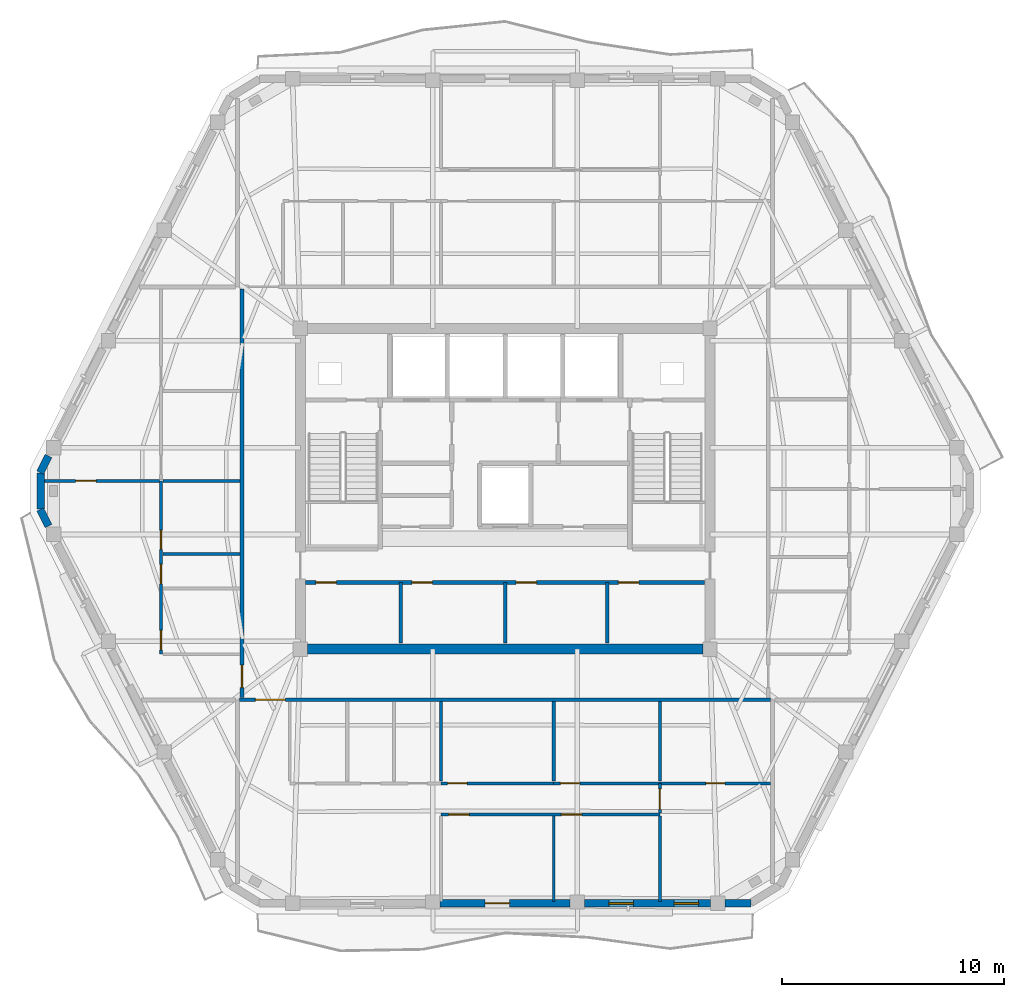
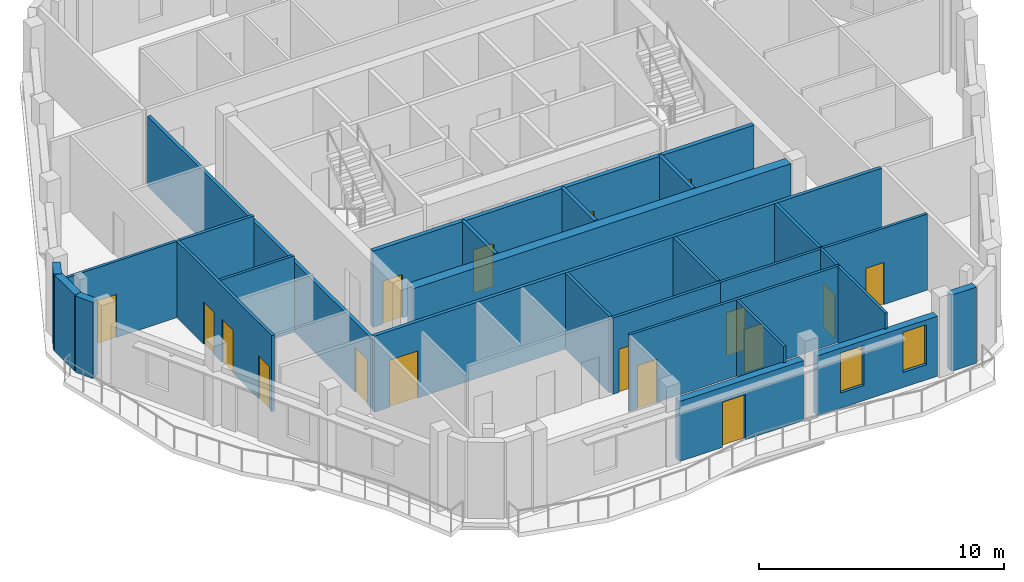
# One storey, part 4 of 11: 26 walls, 17 doors, 2 windows, 19 openings.
"""IFC4 building model written with IfcOpenShell, lengths in metres."""

from ifc_helpers import new_model, si_unit, direction, frame, frame_2d, origin, place, context, subcontext, project, spatial, rectangle, extrude, material, layer, layer_set, type_object, element, fill, save


model = new_model("IFC4")

# Units and contexts
model_context = context("Model", 3, precision=1e-05, world=origin(), true_north=direction((0.0, 1.0)))
body_context = subcontext(model_context, "Body", "Model", "MODEL_VIEW")
ifc_project = project(units=[si_unit("LENGTHUNIT", "METRE"), si_unit("AREAUNIT", "SQUARE_METRE"), si_unit("VOLUMEUNIT", "CUBIC_METRE"), si_unit("PLANEANGLEUNIT", "RADIAN"), si_unit("MASSUNIT", "GRAM", prefix="KILO")], contexts=[model_context])

# Site, building, storey
site_placement = place(None, origin())
site = spatial("IfcSite", under=ifc_project, at=site_placement, CompositionType="ELEMENT")
building_placement = place(site_placement, origin())
building = spatial("IfcBuilding", under=site, at=building_placement, Name="Cinnabar Lancet Tower", CompositionType="ELEMENT")
storey_placement = place(building_placement, frame((0.0, 0.0, 291.5)))
storey = spatial("IfcBuildingStorey", under=building, at=storey_placement, Name="L77", CompositionType="ELEMENT", Elevation=291.5)

# Walls
ifc_material_1 = material(Name="Acoustic twin-stud gypsum partition", Category="gypsum")
ifc_layer_1 = layer(ifc_material_1, 0.159912109375)
ifc_layer_set_1 = layer_set([ifc_layer_1], Name="Acoustic twin-stud gypsum partition")
wall_type_1 = type_object("IfcWallType", Name="ARC-WL-CORR-160", PredefinedType="PARTITIONING", material=ifc_layer_set_1)
for number, where, z_axis, x_axis, name in (
    (1, (27.699951171875, 18.949951171875, 0.0), (0.0, 0.0, 1.0), (0.0, 1.0, 0.0), "CW-SB-2770-L77"),
    (2, (32.39990234375, 18.949951171875, 0.0), (0.0, 0.0, 1.0), (0.0, 1.0, 0.0), "CW-SB-3240-L77"),
    (3, (37.0, 18.949951171875, 0.0), (0.0, 0.0, 1.0), (0.0, 1.0, 0.0), "CW-SB-3700-L77"),
):
    element("IfcWall", number, at=place(storey_placement, frame(where, z_axis=z_axis, x_axis=x_axis)), inside=storey, type_object=wall_type_1, Name=name, PredefinedType="PARTITIONING", context=body_context, shape_type="SweptSolid", body=[
        extrude(rectangle(XDim=2.72998046875, YDim=0.159912109375, at=frame_2d((1.364990234375, 0.0))), origin(), (0.0, 0.0, 1.0), 3.800048828125),
    ])

# Wall, opening, door
wall_1_placement = place(storey_placement, frame((20.445068359375, 16.39990234375, 0.0), z_axis=(0.0, 0.0, 1.0), x_axis=(1.0, 0.0, 0.0)))
wall_1 = element("IfcWall", 4, at=wall_1_placement, inside=storey, type_object=wall_type_1, Name="L77 Unit S01 Corridor Wall", PredefinedType="PARTITIONING", context=body_context, shape_type="SweptSolid", body=[
    extrude(rectangle(XDim=23.909912109375, YDim=0.159912109375, at=frame_2d((11.955078125, 0.0))), origin(), (0.0, 0.0, 1.0), 3.800048828125),
])
opening_1_placement = place(wall_1_placement, frame((0.705078125, 0.0, 0.0)))
opening_1 = element("IfcOpeningElement", 5, at=opening_1_placement, cuts=wall_1, Name="Opening UD-02", PredefinedType="OPENING", context=body_context, shape_type="SweptSolid", body=[
    extrude(rectangle(XDim=1.35009765625, YDim=2.35009765625, at=frame_2d((0.675048828125, 1.175048828125))), frame((0.0, 0.08984375, 0.0), z_axis=(0.0, -1.0, 0.0), x_axis=(1.0, 0.0, 0.0)), (0.0, 0.0, 1.0), 0.179931640625),
])
ifc_material_2 = material(Name="Double-leaf solid timber penthouse entrance door", Category="wood")
door_type_1 = type_object("IfcDoorType", Name="ARC-DR-UNIT-PH", OperationType="NOTDEFINED", PredefinedType="DOOR", material=ifc_material_2)
door_1_placement = place(opening_1_placement, origin())
door_1 = element("IfcDoor", 6, at=door_1_placement, inside=storey, type_object=door_type_1, Name="DR-L77-S01-ENT", OperationType="SINGLE_SWING_LEFT", OverallHeight=2.35009765625, OverallWidth=1.35009765625, PredefinedType="DOOR", context=body_context, shape_type="SweptSolid", body=[
    extrude(rectangle(XDim=1.35009765625, YDim=2.35009765625, at=frame_2d((0.675048828125, 1.175048828125))), frame((0.0, 0.02490234375, 0.0), z_axis=(0.0, -1.0, 0.0), x_axis=(1.0, 0.0, 0.0)), (0.0, 0.0, 1.0), 0.050048828125),
])
fill(opening_1, door_1)

wall_2_placement = place(storey_placement, frame((20.550048828125, 16.4951171875, 0.0), z_axis=(0.0, 0.0, 1.0), x_axis=(0.0, 1.0, 0.0)))
wall_2 = element("IfcWall", 7, at=wall_2_placement, inside=storey, type_object=wall_type_1, Name="UW-L77-W01-COR", PredefinedType="PARTITIONING", context=body_context, shape_type="SweptSolid", body=[
    extrude(rectangle(XDim=18.409912109375, YDim=0.159912109375, at=frame_2d((9.205078125, 0.0))), origin(), (0.0, 0.0, 1.0), 3.487060546875),
])
opening_2_placement = place(wall_2_placement, frame((0.449951171875, 0.0, 0.0)))
opening_2 = element("IfcOpeningElement", 8, at=opening_2_placement, cuts=wall_2, Name="Opening UD-01", PredefinedType="OPENING", context=body_context, shape_type="SweptSolid", body=[
    extrude(rectangle(XDim=1.02001953125, YDim=2.25, at=frame_2d((0.510009765625, 1.125))), frame((0.0, 0.08984375, 0.0), z_axis=(0.0, -1.0, 0.0), x_axis=(1.0, 0.0, 0.0)), (0.0, 0.0, 1.0), 0.179931640625),
])
ifc_material_3 = material(Name="Solid timber fire-rated apartment entrance door", Category="wood")
door_type_2 = type_object("IfcDoorType", Name="ARC-DR-UNIT", OperationType="NOTDEFINED", PredefinedType="DOOR", material=ifc_material_3)
door_2_placement = place(opening_2_placement, origin())
door_2 = element("IfcDoor", 9, at=door_2_placement, inside=storey, type_object=door_type_2, Name="DR-L77-W01-ENT", OperationType="SINGLE_SWING_LEFT", OverallHeight=2.25, OverallWidth=1.02001953125, PredefinedType="DOOR", context=body_context, shape_type="SweptSolid", body=[
    extrude(rectangle(XDim=1.02001953125, YDim=2.25, at=frame_2d((0.510009765625, 1.125))), frame((0.0, 0.02490234375, 0.0), z_axis=(0.0, -1.0, 0.0), x_axis=(1.0, 0.0, 0.0)), (0.0, 0.0, 1.0), 0.050048828125),
])
fill(opening_2, door_2)

# Wall, openings, doors
ifc_material_4 = material(Name="Autoclaved aerated concrete blockwork", Category="masonry")
ifc_layer_2 = layer(ifc_material_4, 0.199951171875)
ifc_layer_set_2 = layer_set([ifc_layer_2], Name="Autoclaved aerated concrete blockwork")
wall_type_2 = type_object("IfcWallType", Name="ARC-WL-SHAFT-200", PredefinedType="PLUMBINGWALL", material=ifc_layer_set_2)
wall_3_placement = place(storey_placement, frame((23.419921875, 21.679931640625, 0.0), z_axis=(0.0, 0.0, 1.0), x_axis=(1.0, 0.0, 0.0)))
wall_3 = element("IfcWall", 10, at=wall_3_placement, inside=storey, type_object=wall_type_2, Name="CW-SBANDN-L77", PredefinedType="PLUMBINGWALL", context=body_context, shape_type="SweptSolid", body=[
    extrude(rectangle(XDim=17.9599609375, YDim=0.199951171875, at=frame_2d((8.97998046875, 0.0))), origin(), (0.0, 0.0, 1.0), 3.800048828125),
])
opening_3_placement = place(wall_3_placement, frame((0.4599609375, 0.0, 0.0)))
opening_3 = element("IfcOpeningElement", 11, at=opening_3_placement, cuts=wall_3, Name="Opening RD-01", PredefinedType="OPENING", context=body_context, shape_type="SweptSolid", body=[
    extrude(rectangle(XDim=0.919921875, YDim=2.14990234375, at=frame_2d((0.4599609375, 1.074951171875))), frame((0.0, 0.10986328125, 0.0), z_axis=(0.0, -1.0, 0.0), x_axis=(1.0, 0.0, 0.0)), (0.0, 0.0, 1.0), 0.219970703125),
])
opening_4_placement = place(wall_3_placement, frame((4.780029296875, 0.0, 0.0)))
opening_4 = element("IfcOpeningElement", 12, at=opening_4_placement, cuts=wall_3, Name="Opening RD-01", PredefinedType="OPENING", context=body_context, shape_type="SweptSolid", body=[
    extrude(rectangle(XDim=0.919921875, YDim=2.14990234375, at=frame_2d((0.4599609375, 1.074951171875))), frame((0.0, 0.10986328125, 0.0), z_axis=(0.0, -1.0, 0.0), x_axis=(1.0, 0.0, 0.0)), (0.0, 0.0, 1.0), 0.219970703125),
])
opening_5_placement = place(wall_3_placement, frame((9.47998046875, 0.0, 0.0)))
opening_5 = element("IfcOpeningElement", 13, at=opening_5_placement, cuts=wall_3, Name="Opening RD-01", PredefinedType="OPENING", context=body_context, shape_type="SweptSolid", body=[
    extrude(rectangle(XDim=0.919921875, YDim=2.14990234375, at=frame_2d((0.4599609375, 1.074951171875))), frame((0.0, 0.10986328125, 0.0), z_axis=(0.0, -1.0, 0.0), x_axis=(1.0, 0.0, 0.0)), (0.0, 0.0, 1.0), 0.219970703125),
])
opening_6_placement = place(wall_3_placement, frame((14.080078125, 0.0, 0.0)))
opening_6 = element("IfcOpeningElement", 14, at=opening_6_placement, cuts=wall_3, Name="Opening RD-01", PredefinedType="OPENING", context=body_context, shape_type="SweptSolid", body=[
    extrude(rectangle(XDim=0.919921875, YDim=2.14990234375, at=frame_2d((0.4599609375, 1.074951171875))), frame((0.0, 0.10986328125, 0.0), z_axis=(0.0, -1.0, 0.0), x_axis=(1.0, 0.0, 0.0)), (0.0, 0.0, 1.0), 0.219970703125),
])
ifc_material_5 = material(Name="Engineered timber bedroom door", Category="wood")
door_type_3 = type_object("IfcDoorType", Name="ARC-DR-ROOM", OperationType="NOTDEFINED", PredefinedType="DOOR", material=ifc_material_5)
door_3_placement = place(opening_3_placement, origin())
door_3 = element("IfcDoor", 15, at=door_3_placement, inside=storey, type_object=door_type_3, Name="DR-L77-HREC1", OperationType="SINGLE_SWING_LEFT", OverallHeight=2.14990234375, OverallWidth=0.919921875, PredefinedType="DOOR", context=body_context, shape_type="SweptSolid", body=[
    extrude(rectangle(XDim=0.919921875, YDim=2.14990234375, at=frame_2d((0.4599609375, 1.074951171875))), frame((0.0, 0.02490234375, 0.0), z_axis=(0.0, -1.0, 0.0), x_axis=(1.0, 0.0, 0.0)), (0.0, 0.0, 1.0), 0.050048828125),
])
fill(opening_3, door_3)
door_4_placement = place(opening_4_placement, origin())
door_4 = element("IfcDoor", 16, at=door_4_placement, inside=storey, type_object=door_type_3, Name="DR-L77-HREC2", OperationType="SINGLE_SWING_RIGHT", OverallHeight=2.14990234375, OverallWidth=0.919921875, PredefinedType="DOOR", context=body_context, shape_type="SweptSolid", body=[
    extrude(rectangle(XDim=0.919921875, YDim=2.14990234375, at=frame_2d((0.4599609375, 1.074951171875))), frame((0.0, 0.02490234375, 0.0), z_axis=(0.0, -1.0, 0.0), x_axis=(1.0, 0.0, 0.0)), (0.0, 0.0, 1.0), 0.050048828125),
])
fill(opening_4, door_4)
door_5_placement = place(opening_5_placement, origin())
door_5 = element("IfcDoor", 17, at=door_5_placement, inside=storey, type_object=door_type_3, Name="DR-L77-HREC3", OperationType="SINGLE_SWING_LEFT", OverallHeight=2.14990234375, OverallWidth=0.919921875, PredefinedType="DOOR", context=body_context, shape_type="SweptSolid", body=[
    extrude(rectangle(XDim=0.919921875, YDim=2.14990234375, at=frame_2d((0.4599609375, 1.074951171875))), frame((0.0, 0.02490234375, 0.0), z_axis=(0.0, -1.0, 0.0), x_axis=(1.0, 0.0, 0.0)), (0.0, 0.0, 1.0), 0.050048828125),
])
fill(opening_5, door_5)
door_6_placement = place(opening_6_placement, origin())
door_6 = element("IfcDoor", 18, at=door_6_placement, inside=storey, type_object=door_type_3, Name="DR-L77-HREC4", OperationType="SINGLE_SWING_RIGHT", OverallHeight=2.14990234375, OverallWidth=0.919921875, PredefinedType="DOOR", context=body_context, shape_type="SweptSolid", body=[
    extrude(rectangle(XDim=0.919921875, YDim=2.14990234375, at=frame_2d((0.4599609375, 1.074951171875))), frame((0.0, 0.02490234375, 0.0), z_axis=(0.0, -1.0, 0.0), x_axis=(1.0, 0.0, 0.0)), (0.0, 0.0, 1.0), 0.050048828125),
])
fill(opening_6, door_6)

ifc_material_6 = material(Name="Gypsum plasterboard stud partition", Category="gypsum")
ifc_layer_3 = layer(ifc_material_6, 0.125)
ifc_layer_set_3 = layer_set([ifc_layer_3], Name="Gypsum plasterboard stud partition")
wall_type_3 = type_object("IfcWallType", Name="ARC-WL-UNIT-125", PredefinedType="PARTITIONING", material=ifc_layer_set_3)
wall_4_placement = place(storey_placement, frame((34.587890625, 12.632080078125, 0.0), z_axis=(0.0, 0.0, 1.0), x_axis=(1.0, 0.0, 0.0)))
wall_4 = element("IfcWall", 19, at=wall_4_placement, inside=storey, type_object=wall_type_3, Name="UW-L77-S01-SP2", PredefinedType="PARTITIONING", context=body_context, shape_type="SweptSolid", body=[
    extrude(rectangle(XDim=9.76708984375, YDim=0.125, at=frame_2d((4.883544921875, 0.0))), origin(), (0.0, 0.0, 1.0), 3.800048828125),
])
opening_7_placement = place(wall_4_placement, frame((6.84912109375, 0.0, 0.0)))
opening_7 = element("IfcOpeningElement", 20, at=opening_7_placement, cuts=wall_4, Name="Opening BD-01", PredefinedType="OPENING", context=body_context, shape_type="SweptSolid", body=[
    extrude(rectangle(XDim=0.860107421875, YDim=2.10009765625, at=frame_2d((0.43017578125, 1.050048828125))), frame((0.0, 0.072509765625, 0.0), z_axis=(0.0, -1.0, 0.0), x_axis=(1.0, 0.0, 0.0)), (0.0, 0.0, 1.0), 0.14501953125),
])
opening_8_placement = place(wall_4_placement, frame((0.300048828125, 0.0, 0.0)))
opening_8 = element("IfcOpeningElement", 21, at=opening_8_placement, cuts=wall_4, Name="Opening RD-02", PredefinedType="OPENING", context=body_context, shape_type="SweptSolid", body=[
    extrude(rectangle(XDim=0.8798828125, YDim=2.14990234375, at=frame_2d((0.43994140625, 1.074951171875))), frame((0.0, 0.072509765625, 0.0), z_axis=(0.0, -1.0, 0.0), x_axis=(1.0, 0.0, 0.0)), (0.0, 0.0, 1.0), 0.14501953125),
])
ifc_material_7 = material(Name="Moisture-resistant timber bathroom door", Category="wood")
door_type_4 = type_object("IfcDoorType", Name="ARC-DR-BATH", OperationType="NOTDEFINED", PredefinedType="DOOR", material=ifc_material_7)
door_7_placement = place(opening_7_placement, origin())
door_7 = element("IfcDoor", 22, at=door_7_placement, inside=storey, type_object=door_type_4, Name="DR-L77-S01-ENS", OperationType="SINGLE_SWING_RIGHT", OverallHeight=2.10009765625, OverallWidth=0.860107421875, PredefinedType="DOOR", context=body_context, shape_type="SweptSolid", body=[
    extrude(rectangle(XDim=0.860107421875, YDim=2.10009765625, at=frame_2d((0.43017578125, 1.050048828125))), frame((0.0, 0.02490234375, 0.0), z_axis=(0.0, -1.0, 0.0), x_axis=(1.0, 0.0, 0.0)), (0.0, 0.0, 1.0), 0.050048828125),
])
fill(opening_7, door_7)
ifc_material_8 = material(Name="Engineered timber study door", Category="wood")
door_type_5 = type_object("IfcDoorType", Name="ARC-DR-STUDY", OperationType="NOTDEFINED", PredefinedType="DOOR", material=ifc_material_8)
door_8_placement = place(opening_8_placement, origin())
door_8 = element("IfcDoor", 23, at=door_8_placement, inside=storey, type_object=door_type_5, Name="DR-L77-S01-DRS", OperationType="SINGLE_SWING_LEFT", OverallHeight=2.14990234375, OverallWidth=0.8798828125, PredefinedType="DOOR", context=body_context, shape_type="SweptSolid", body=[
    extrude(rectangle(XDim=0.8798828125, YDim=2.14990234375, at=frame_2d((0.43994140625, 1.074951171875))), frame((0.0, 0.02490234375, 0.0), z_axis=(0.0, -1.0, 0.0), x_axis=(1.0, 0.0, 0.0)), (0.0, 0.0, 1.0), 0.050048828125),
])
fill(opening_8, door_8)

wall_5_placement = place(storey_placement, frame((29.508056640625, 11.23193359375, 0.0), z_axis=(0.0, 0.0, 1.0), x_axis=(1.0, 0.0, 0.0)))
wall_5 = element("IfcWall", 24, at=wall_5_placement, inside=storey, type_object=wall_type_3, Name="UW-L77-S01-HLN", PredefinedType="PARTITIONING", context=body_context, shape_type="SweptSolid", body=[
    extrude(rectangle(XDim=9.862060546875, YDim=0.125, at=frame_2d((4.93115234375, 0.0))), origin(), (0.0, 0.0, 1.0), 3.800048828125),
])
opening_9_placement = place(wall_5_placement, frame((0.35009765625, 0.0, 0.0)))
opening_9 = element("IfcOpeningElement", 25, at=opening_9_placement, cuts=wall_5, Name="Opening RD-01", PredefinedType="OPENING", context=body_context, shape_type="SweptSolid", body=[
    extrude(rectangle(XDim=0.919921875, YDim=2.14990234375, at=frame_2d((0.4599609375, 1.074951171875))), frame((0.0, 0.072509765625, 0.0), z_axis=(0.0, -1.0, 0.0), x_axis=(1.0, 0.0, 0.0)), (0.0, 0.0, 1.0), 0.14501953125),
])
opening_10_placement = place(wall_5_placement, frame((5.429931640625, 0.0, 0.0)))
opening_10 = element("IfcOpeningElement", 26, at=opening_10_placement, cuts=wall_5, Name="Opening RD-01", PredefinedType="OPENING", context=body_context, shape_type="SweptSolid", body=[
    extrude(rectangle(XDim=0.919921875, YDim=2.14990234375, at=frame_2d((0.4599609375, 1.074951171875))), frame((0.0, 0.072509765625, 0.0), z_axis=(0.0, -1.0, 0.0), x_axis=(1.0, 0.0, 0.0)), (0.0, 0.0, 1.0), 0.14501953125),
])
door_9_placement = place(opening_9_placement, origin())
door_9 = element("IfcDoor", 27, at=door_9_placement, inside=storey, type_object=door_type_3, Name="DR-L77-S01-BD2", OperationType="SINGLE_SWING_RIGHT", OverallHeight=2.14990234375, OverallWidth=0.919921875, PredefinedType="DOOR", context=body_context, shape_type="SweptSolid", body=[
    extrude(rectangle(XDim=0.919921875, YDim=2.14990234375, at=frame_2d((0.4599609375, 1.074951171875))), frame((0.0, 0.02490234375, 0.0), z_axis=(0.0, -1.0, 0.0), x_axis=(1.0, 0.0, 0.0)), (0.0, 0.0, 1.0), 0.050048828125),
])
fill(opening_9, door_9)
door_10_placement = place(opening_10_placement, origin())
door_10 = element("IfcDoor", 28, at=door_10_placement, inside=storey, type_object=door_type_3, Name="DR-L77-S01-BD3", OperationType="SINGLE_SWING_LEFT", OverallHeight=2.14990234375, OverallWidth=0.919921875, PredefinedType="DOOR", context=body_context, shape_type="SweptSolid", body=[
    extrude(rectangle(XDim=0.919921875, YDim=2.14990234375, at=frame_2d((0.4599609375, 1.074951171875))), frame((0.0, 0.02490234375, 0.0), z_axis=(0.0, -1.0, 0.0), x_axis=(1.0, 0.0, 0.0)), (0.0, 0.0, 1.0), 0.050048828125),
])
fill(opening_10, door_10)

# Wall, opening, door
wall_6_placement = place(storey_placement, frame((39.3701171875, 11.302001953125, 0.0), z_axis=(0.0, 0.0, 1.0), x_axis=(0.0, 1.0, 0.0)))
wall_6 = element("IfcWall", 29, at=wall_6_placement, inside=storey, type_object=wall_type_3, Name="UW-L77-S01-MBE", PredefinedType="PARTITIONING", context=body_context, shape_type="SweptSolid", body=[
    extrude(rectangle(XDim=1.330078125, YDim=0.125, at=frame_2d((0.6650390625, 0.0))), origin(), (0.0, 0.0, 1.0), 3.800048828125),
])
opening_11_placement = place(wall_6_placement, frame((0.159912109375, 0.0, 0.0)))
opening_11 = element("IfcOpeningElement", 30, at=opening_11_placement, cuts=wall_6, Name="Opening RD-01", PredefinedType="OPENING", context=body_context, shape_type="SweptSolid", body=[
    extrude(rectangle(XDim=0.919921875, YDim=2.14990234375, at=frame_2d((0.4599609375, 1.074951171875))), frame((0.0, 0.072509765625, 0.0), z_axis=(0.0, -1.0, 0.0), x_axis=(1.0, 0.0, 0.0)), (0.0, 0.0, 1.0), 0.14501953125),
])
door_11_placement = place(opening_11_placement, origin())
door_11 = element("IfcDoor", 31, at=door_11_placement, inside=storey, type_object=door_type_3, Name="DR-L77-S01-MBD", OperationType="SINGLE_SWING_RIGHT", OverallHeight=2.14990234375, OverallWidth=0.919921875, PredefinedType="DOOR", context=body_context, shape_type="SweptSolid", body=[
    extrude(rectangle(XDim=0.919921875, YDim=2.14990234375, at=frame_2d((0.4599609375, 1.074951171875))), frame((0.0, 0.02490234375, 0.0), z_axis=(0.0, -1.0, 0.0), x_axis=(1.0, 0.0, 0.0)), (0.0, 0.0, 1.0), 0.050048828125),
])
fill(opening_11, door_11)

# Walls
for number, where, z_axis, x_axis, name in (
    (32, (34.587890625, 7.31494140625, 0.0), (0.0, 0.0, 1.0), (0.0, 1.0, 0.0), "UW-L77-S01-MB2W"),
    (33, (39.3701171875, 7.31494140625, 0.0), (0.0, 0.0, 1.0), (0.0, 1.0, 0.0), "UW-L77-S01-B23W"),
):
    element("IfcWall", number, at=place(storey_placement, frame(where, z_axis=z_axis, x_axis=x_axis)), inside=storey, type_object=wall_type_3, Name=name, PredefinedType="PARTITIONING", context=body_context, shape_type="SweptSolid", body=[
        extrude(rectangle(XDim=3.85205078125, YDim=0.125, at=frame_2d((1.926025390625, 0.0))), origin(), (0.0, 0.0, 1.0), 3.800048828125),
    ])

# Wall, opening, door
wall_7_placement = place(storey_placement, frame((11.659912109375, 26.258056640625, 0.0), z_axis=(0.0, 0.0, 1.0), x_axis=(1.0, 0.0, 0.0)))
wall_7 = element("IfcWall", 34, at=wall_7_placement, inside=storey, type_object=wall_type_3, Name="UW-L77-W01-MBN", PredefinedType="PARTITIONING", context=body_context, shape_type="SweptSolid", body=[
    extrude(rectangle(XDim=5.1650390625, YDim=0.125, at=frame_2d((2.58251953125, 0.0))), origin(), (0.0, 0.0, 1.0), 3.800048828125),
])
opening_12_placement = place(wall_7_placement, frame((1.39990234375, 0.0, 0.0)))
opening_12 = element("IfcOpeningElement", 35, at=opening_12_placement, cuts=wall_7, Name="Opening RD-01", PredefinedType="OPENING", context=body_context, shape_type="SweptSolid", body=[
    extrude(rectangle(XDim=0.919921875, YDim=2.14990234375, at=frame_2d((0.4599609375, 1.074951171875))), frame((0.0, 0.072509765625, 0.0), z_axis=(0.0, -1.0, 0.0), x_axis=(1.0, 0.0, 0.0)), (0.0, 0.0, 1.0), 0.14501953125),
])
door_12_placement = place(opening_12_placement, origin())
door_12 = element("IfcDoor", 36, at=door_12_placement, inside=storey, type_object=door_type_3, Name="DR-L77-W01-MBD", OperationType="SINGLE_SWING_LEFT", OverallHeight=2.14990234375, OverallWidth=0.919921875, PredefinedType="DOOR", context=body_context, shape_type="SweptSolid", body=[
    extrude(rectangle(XDim=0.919921875, YDim=2.14990234375, at=frame_2d((0.4599609375, 1.074951171875))), frame((0.0, 0.02490234375, 0.0), z_axis=(0.0, -1.0, 0.0), x_axis=(1.0, 0.0, 0.0)), (0.0, 0.0, 1.0), 0.050048828125),
])
fill(opening_12, door_12)

# Wall
wall_8_placement = place(storey_placement, frame((16.985107421875, 22.967041015625, 0.0), z_axis=(0.0, 0.0, 1.0), x_axis=(1.0, 0.0, 0.0)))
element("IfcWall", 37, at=wall_8_placement, inside=storey, type_object=wall_type_3, Name="UW-L77-W01-UDV", PredefinedType="PARTITIONING", context=body_context, shape_type="SweptSolid", body=[
    extrude(rectangle(XDim=3.47998046875, YDim=0.125, at=frame_2d((1.739990234375, 0.0))), origin(), (0.0, 0.0, 1.0), 3.800048828125),
])

# Wall, opening, door
ifc_material_9 = material(Name="Moisture-resistant cement-board plumbing wall", Category="masonry")
ifc_layer_4 = layer(ifc_material_9, 0.139892578125)
ifc_layer_set_4 = layer_set([ifc_layer_4], Name="Moisture-resistant cement-board plumbing wall")
wall_type_4 = type_object("IfcWallType", Name="ARC-WL-WET-140", PredefinedType="PLUMBINGWALL", material=ifc_layer_set_4)
wall_9_placement = place(storey_placement, frame((29.508056640625, 12.632080078125, 0.0), z_axis=(0.0, 0.0, 1.0), x_axis=(1.0, 0.0, 0.0)))
wall_9 = element("IfcWall", 38, at=wall_9_placement, inside=storey, type_object=wall_type_4, Name="UW-L77-S01-SPM", PredefinedType="PLUMBINGWALL", context=body_context, shape_type="SweptSolid", body=[
    extrude(rectangle(XDim=5.079833984375, YDim=0.139892578125, at=frame_2d((2.5400390625, 0.0))), origin(), (0.0, 0.0, 1.0), 3.800048828125),
])
opening_13_placement = place(wall_9_placement, frame((0.300048828125, 0.0, 0.0)))
opening_13 = element("IfcOpeningElement", 39, at=opening_13_placement, cuts=wall_9, Name="Opening RD-02", PredefinedType="OPENING", context=body_context, shape_type="SweptSolid", body=[
    extrude(rectangle(XDim=0.8798828125, YDim=2.14990234375, at=frame_2d((0.43994140625, 1.074951171875))), frame((0.0, 0.079833984375, 0.0), z_axis=(0.0, -1.0, 0.0), x_axis=(1.0, 0.0, 0.0)), (0.0, 0.0, 1.0), 0.159912109375),
])
door_13_placement = place(opening_13_placement, origin())
door_13 = element("IfcDoor", 40, at=door_13_placement, inside=storey, type_object=door_type_5, Name="DR-L77-S01-UTL", OperationType="SINGLE_SWING_LEFT", OverallHeight=2.14990234375, OverallWidth=0.8798828125, PredefinedType="DOOR", context=body_context, shape_type="SweptSolid", body=[
    extrude(rectangle(XDim=0.8798828125, YDim=2.14990234375, at=frame_2d((0.43994140625, 1.074951171875))), frame((0.0, 0.02490234375, 0.0), z_axis=(0.0, -1.0, 0.0), x_axis=(1.0, 0.0, 0.0)), (0.0, 0.0, 1.0), 0.050048828125),
])
fill(opening_13, door_13)

# Walls
for number, where, z_axis, x_axis, name in (
    (41, (29.508056640625, 12.737060546875, 0.0), (0.0, 0.0, 1.0), (0.0, 1.0, 0.0), "UW-L77-S01-ENSW"),
    (42, (34.587890625, 12.737060546875, 0.0), (0.0, 0.0, 1.0), (0.0, 1.0, 0.0), "UW-L77-S01-ENSE"),
    (43, (39.3701171875, 12.737060546875, 0.0), (0.0, 0.0, 1.0), (0.0, 1.0, 0.0), "UW-L77-S01-UT3"),
):
    element("IfcWall", number, at=place(storey_placement, frame(where, z_axis=z_axis, x_axis=x_axis)), inside=storey, type_object=wall_type_4, Name=name, PredefinedType="PLUMBINGWALL", context=body_context, shape_type="SweptSolid", body=[
        extrude(rectangle(XDim=3.577880859375, YDim=0.139892578125, at=frame_2d((1.7890625, 0.0))), origin(), (0.0, 0.0, 1.0), 3.800048828125),
    ])

# Wall, openings, doors
wall_10_placement = place(storey_placement, frame((16.89990234375, 18.449951171875, 0.0), z_axis=(0.0, 0.0, 1.0), x_axis=(0.0, 1.0, 0.0)))
wall_10 = element("IfcWall", 44, at=wall_10_placement, inside=storey, type_object=wall_type_4, Name="UW-L77-W01-SPL", PredefinedType="PLUMBINGWALL", context=body_context, shape_type="SweptSolid", body=[
    extrude(rectangle(XDim=7.80810546875, YDim=0.139892578125, at=frame_2d((3.904052734375, 0.0))), origin(), (0.0, 0.0, 1.0), 3.800048828125),
])
opening_14_placement = place(wall_10_placement, frame((0.199951171875, 0.0, 0.0)))
opening_14 = element("IfcOpeningElement", 45, at=opening_14_placement, cuts=wall_10, Name="Opening RD-02", PredefinedType="OPENING", context=body_context, shape_type="SweptSolid", body=[
    extrude(rectangle(XDim=0.8798828125, YDim=2.14990234375, at=frame_2d((0.43994140625, 1.074951171875))), frame((0.0, 0.079833984375, 0.0), z_axis=(0.0, -1.0, 0.0), x_axis=(1.0, 0.0, 0.0)), (0.0, 0.0, 1.0), 0.159912109375),
])
opening_15_placement = place(wall_10_placement, frame((3.1669921875, 0.0, 0.0)))
opening_15 = element("IfcOpeningElement", 46, at=opening_15_placement, cuts=wall_10, Name="Opening RD-02", PredefinedType="OPENING", context=body_context, shape_type="SweptSolid", body=[
    extrude(rectangle(XDim=0.8798828125, YDim=2.14990234375, at=frame_2d((0.43994140625, 1.074951171875))), frame((0.0, 0.079833984375, 0.0), z_axis=(0.0, -1.0, 0.0), x_axis=(1.0, 0.0, 0.0)), (0.0, 0.0, 1.0), 0.159912109375),
])
opening_16_placement = place(wall_10_placement, frame((4.717041015625, 0.0, 0.0)))
opening_16 = element("IfcOpeningElement", 47, at=opening_16_placement, cuts=wall_10, Name="Opening BD-01", PredefinedType="OPENING", context=body_context, shape_type="SweptSolid", body=[
    extrude(rectangle(XDim=0.860107421875, YDim=2.10009765625, at=frame_2d((0.43017578125, 1.050048828125))), frame((0.0, 0.079833984375, 0.0), z_axis=(0.0, -1.0, 0.0), x_axis=(1.0, 0.0, 0.0)), (0.0, 0.0, 1.0), 0.159912109375),
])
door_14_placement = place(opening_16_placement, origin())
door_14 = element("IfcDoor", 48, at=door_14_placement, inside=storey, type_object=door_type_4, Name="DR-L77-W01-BTH", OperationType="SINGLE_SWING_RIGHT", OverallHeight=2.10009765625, OverallWidth=0.860107421875, PredefinedType="DOOR", context=body_context, shape_type="SweptSolid", body=[
    extrude(rectangle(XDim=0.860107421875, YDim=2.10009765625, at=frame_2d((0.43017578125, 1.050048828125))), frame((0.0, 0.02490234375, 0.0), z_axis=(0.0, -1.0, 0.0), x_axis=(1.0, 0.0, 0.0)), (0.0, 0.0, 1.0), 0.050048828125),
])
fill(opening_16, door_14)
door_15_placement = place(opening_14_placement, origin())
door_15 = element("IfcDoor", 49, at=door_15_placement, inside=storey, type_object=door_type_5, Name="DR-L77-W01-KIT", OperationType="SINGLE_SWING_RIGHT", OverallHeight=2.14990234375, OverallWidth=0.8798828125, PredefinedType="DOOR", context=body_context, shape_type="SweptSolid", body=[
    extrude(rectangle(XDim=0.8798828125, YDim=2.14990234375, at=frame_2d((0.43994140625, 1.074951171875))), frame((0.0, 0.02490234375, 0.0), z_axis=(0.0, -1.0, 0.0), x_axis=(1.0, 0.0, 0.0)), (0.0, 0.0, 1.0), 0.050048828125),
])
fill(opening_14, door_15)
door_16_placement = place(opening_15_placement, origin())
door_16 = element("IfcDoor", 50, at=door_16_placement, inside=storey, type_object=door_type_5, Name="DR-L77-W01-UTL", OperationType="SINGLE_SWING_LEFT", OverallHeight=2.14990234375, OverallWidth=0.8798828125, PredefinedType="DOOR", context=body_context, shape_type="SweptSolid", body=[
    extrude(rectangle(XDim=0.8798828125, YDim=2.14990234375, at=frame_2d((0.43994140625, 1.074951171875))), frame((0.0, 0.02490234375, 0.0), z_axis=(0.0, -1.0, 0.0), x_axis=(1.0, 0.0, 0.0)), (0.0, 0.0, 1.0), 0.050048828125),
])
fill(opening_15, door_16)

# Walls
wall_11_placement = place(storey_placement, frame((16.985107421875, 26.258056640625, 0.0), z_axis=(0.0, 0.0, 1.0), x_axis=(1.0, 0.0, 0.0)))
element("IfcWall", 51, at=wall_11_placement, inside=storey, type_object=wall_type_4, Name="UW-L77-W01-ENSN", PredefinedType="PLUMBINGWALL", context=body_context, shape_type="SweptSolid", body=[
    extrude(rectangle(XDim=3.47998046875, YDim=0.139892578125, at=frame_2d((1.739990234375, 0.0))), origin(), (0.0, 0.0, 1.0), 3.800048828125),
])
ifc_material_10 = material(Name="Cinnabar red clay brick", Category="masonry")
ifc_layer_5 = layer(ifc_material_10, 0.340087890625)
ifc_layer_set_5 = layer_set([ifc_layer_5], Name="Cinnabar red clay brick")
wall_type_5 = type_object("IfcWallType", Name="ENV-WL-BRK-RED-340", PredefinedType="STANDARD", material=ifc_layer_set_5)
wall_12_placement = place(storey_placement, frame((11.47705078125, 26.6201171875, 0.0), z_axis=(0.0, 0.0, 1.0), x_axis=(0.0, -1.0, 0.0)))
element("IfcWall", 52, at=wall_12_placement, inside=storey, type_object=wall_type_5, Name="L77 Chamfered Corner Brick Pier 6.1", PredefinedType="STANDARD", context=body_context, shape_type="SweptSolid", body=[
    extrude(rectangle(XDim=1.64013671875, YDim=0.340087890625, at=frame_2d((0.820068359375, 0.0))), origin(), (0.0, 0.0, 1.0), 3.800048828125),
])

# Wall, opening, door
wall_13_placement = place(storey_placement, frame((29.47509765625, 7.22998046875, 0.0), z_axis=(0.0, 0.0, 1.0), x_axis=(1.0, 0.0, 0.0)))
wall_13 = element("IfcWall", 53, at=wall_13_placement, inside=storey, type_object=wall_type_5, Name="L77 Face 1 Masonry Bay Wall 3", PredefinedType="STANDARD", context=body_context, shape_type="SweptSolid", body=[
    extrude(rectangle(XDim=5.849853515625, YDim=0.340087890625, at=frame_2d((2.9248046875, 0.0))), origin(), (0.0, 0.0, 1.0), 2.989990234375),
])
opening_17_placement = place(wall_13_placement, frame((2.02294921875, 0.0, 0.0)))
opening_17 = element("IfcOpeningElement", 54, at=opening_17_placement, cuts=wall_13, Name="Opening TD-01", PredefinedType="OPENING", context=body_context, shape_type="SweptSolid", body=[
    extrude(rectangle(XDim=1.10009765625, YDim=2.25, at=frame_2d((0.550048828125, 1.125))), frame((0.0, 0.179931640625, 0.0), z_axis=(0.0, -1.0, 0.0), x_axis=(1.0, 0.0, 0.0)), (0.0, 0.0, 1.0), 0.360107421875),
])
ifc_material_11 = material(Name="Thermally broken low-E glazed balcony terrace door", Category="wood")
door_type_6 = type_object("IfcDoorType", Name="ARC-DR-BALC", OperationType="NOTDEFINED", PredefinedType="DOOR", material=ifc_material_11)
door_17_placement = place(opening_17_placement, origin())
door_17 = element("IfcDoor", 55, at=door_17_placement, inside=storey, type_object=door_type_6, Name="L77 Face 1 Glazed Terrace Door", OperationType="SINGLE_SWING_LEFT", OverallHeight=2.25, OverallWidth=1.10009765625, PredefinedType="DOOR", context=body_context, shape_type="SweptSolid", body=[
    extrude(rectangle(XDim=1.10009765625, YDim=2.25, at=frame_2d((0.550048828125, 1.125))), frame((0.0, 0.02490234375, 0.0), z_axis=(0.0, -1.0, 0.0), x_axis=(1.0, 0.0, 0.0)), (0.0, 0.0, 1.0), 0.050048828125),
])
fill(opening_17, door_17)

# Wall, openings, windows
wall_14_placement = place(storey_placement, frame((35.98291015625, 7.22998046875, 0.0), z_axis=(0.0, 0.0, 1.0), x_axis=(1.0, 0.0, 0.0)))
wall_14 = element("IfcWall", 56, at=wall_14_placement, inside=storey, type_object=wall_type_5, Name="L77 Face 1 Masonry Bay Wall 4", PredefinedType="STANDARD", context=body_context, shape_type="SweptSolid", body=[
    extrude(rectangle(XDim=5.66015625, YDim=0.340087890625, at=frame_2d((2.830078125, 0.0))), origin(), (0.0, 0.0, 1.0), 2.989990234375),
])
opening_18_placement = place(wall_14_placement, frame((1.0869140625, 0.0, 0.75)))
opening_18 = element("IfcOpeningElement", 57, at=opening_18_placement, cuts=wall_14, Name="Opening WN-04", PredefinedType="OPENING", context=body_context, shape_type="SweptSolid", body=[
    extrude(rectangle(XDim=1.10009765625, YDim=2.0, at=frame_2d((0.550048828125, 1.0))), frame((0.0, 0.179931640625, 0.0), z_axis=(0.0, -1.0, 0.0), x_axis=(1.0, 0.0, 0.0)), (0.0, 0.0, 1.0), 0.360107421875),
])
opening_19_placement = place(wall_14_placement, frame((4.030029296875, 0.0, 0.75)))
opening_19 = element("IfcOpeningElement", 58, at=opening_19_placement, cuts=wall_14, Name="Opening WN-04", PredefinedType="OPENING", context=body_context, shape_type="SweptSolid", body=[
    extrude(rectangle(XDim=1.10009765625, YDim=2.0, at=frame_2d((0.550048828125, 1.0))), frame((0.0, 0.179931640625, 0.0), z_axis=(0.0, -1.0, 0.0), x_axis=(1.0, 0.0, 0.0)), (0.0, 0.0, 1.0), 0.360107421875),
])
ifc_material_12 = material(Name="Thermally broken bronze-anodized aluminium tall lancet window", Category="aluminium")
window_type = type_object("IfcWindowType", Name="ENV-WN-LANCET-1100", PartitioningType="SINGLE_PANEL", PredefinedType="WINDOW", material=ifc_material_12)
window_1_placement = place(opening_18_placement, origin())
window_1 = element("IfcWindow", 59, at=window_1_placement, inside=storey, type_object=window_type, Name="L77 Face 1 Gothic Lancet Window 4", OverallHeight=2.0, OverallWidth=1.10009765625, PartitioningType="SINGLE_PANEL", PredefinedType="WINDOW", context=body_context, shape_type="SweptSolid", body=[
    extrude(rectangle(XDim=1.10009765625, YDim=2.0, at=frame_2d((0.550048828125, 1.0))), frame((0.0, 0.030029296875, 0.0), z_axis=(0.0, -1.0, 0.0), x_axis=(1.0, 0.0, 0.0)), (0.0, 0.0, 1.0), 0.06005859375),
])
fill(opening_18, window_1)
window_2_placement = place(opening_19_placement, origin())
window_2 = element("IfcWindow", 60, at=window_2_placement, inside=storey, type_object=window_type, Name="L77 Split-Bay Gothic Lancet Window 288", OverallHeight=2.0, OverallWidth=1.10009765625, PartitioningType="SINGLE_PANEL", PredefinedType="WINDOW", context=body_context, shape_type="SweptSolid", body=[
    extrude(rectangle(XDim=1.10009765625, YDim=2.0, at=frame_2d((0.550048828125, 1.0))), frame((0.0, 0.030029296875, 0.0), z_axis=(0.0, -1.0, 0.0), x_axis=(1.0, 0.0, 0.0)), (0.0, 0.0, 1.0), 0.06005859375),
])
fill(opening_19, window_2)

# Walls
wall_15_placement = place(storey_placement, frame((42.301025390625, 7.22998046875, 0.0), z_axis=(0.0, 0.0, 1.0), x_axis=(1.0, 0.0, 0.0)))
element("IfcWall", 61, at=wall_15_placement, inside=storey, type_object=wall_type_5, Name="L77 Face 1 Masonry Bay Wall 5", PredefinedType="STANDARD", context=body_context, shape_type="SweptSolid", body=[
    extrude(rectangle(XDim=1.173095703125, YDim=0.340087890625, at=frame_2d((0.58642578125, 0.0))), origin(), (0.0, 0.0, 1.0), 3.800048828125),
])
wall_16_placement = place(storey_placement, frame((11.8349609375, 27.3759765625, 0.0), z_axis=(0.0, 0.0, 1.0), x_axis=(-0.45139691133, -0.892323275748, 0.0)))
element("IfcWall", 62, at=wall_16_placement, inside=storey, type_object=wall_type_5, Name="L77 Face 5 Masonry Bay Wall 5", PredefinedType="STANDARD", context=body_context, shape_type="SweptSolid", body=[
    extrude(rectangle(XDim=0.83935546875, YDim=0.340087890625, at=frame_2d((0.419677734375, 0.0))), origin(), (0.0, 0.0, 1.0), 3.800048828125),
])
wall_17_placement = place(storey_placement, frame((11.4560546875, 24.972900390625, 0.0), z_axis=(0.0, 0.0, 1.0), x_axis=(0.4515140893, -0.892263989615, 0.0)))
element("IfcWall", 63, at=wall_17_placement, inside=storey, type_object=wall_type_5, Name="L77 Face 6 Masonry Bay Wall 1", PredefinedType="STANDARD", context=body_context, shape_type="SweptSolid", body=[
    extrude(rectangle(XDim=0.839111328125, YDim=0.340087890625, at=frame_2d((0.41943359375, 0.0))), origin(), (0.0, 0.0, 1.0), 3.800048828125),
])
ifc_material_13 = material(Name="Concrete C50/60", Category="concrete")
ifc_layer_6 = layer(ifc_material_13, 0.449951171875)
ifc_layer_set_6 = layer_set([ifc_layer_6], Name="Concrete C50/60")
wall_type_6 = type_object("IfcWallType", Name="STR-WL-CORE-450", PredefinedType="SHEAR", material=ifc_layer_set_6)
wall_18_placement = place(storey_placement, frame((23.5, 18.675048828125, 0.0), z_axis=(0.0, 0.0, 1.0), x_axis=(1.0, 0.0, 0.0)))
element("IfcWall", 64, at=wall_18_placement, inside=storey, type_object=wall_type_6, Name="L77 Core Shear Wall S", PredefinedType="SHEAR", context=body_context, shape_type="SweptSolid", body=[
    extrude(rectangle(XDim=17.800048828125, YDim=0.449951171875, at=frame_2d((8.89990234375, 0.0))), origin(), (0.0, 0.0, 1.0), 3.800048828125),
])

save(model, "model.ifc")
